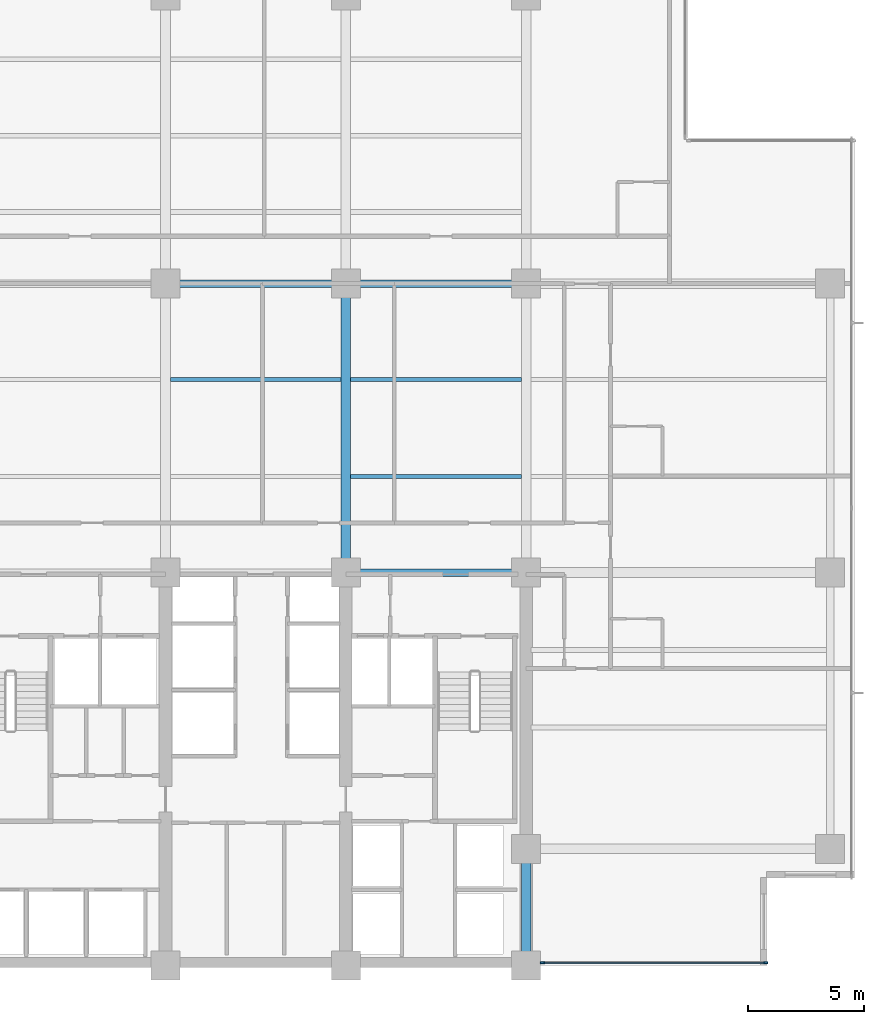
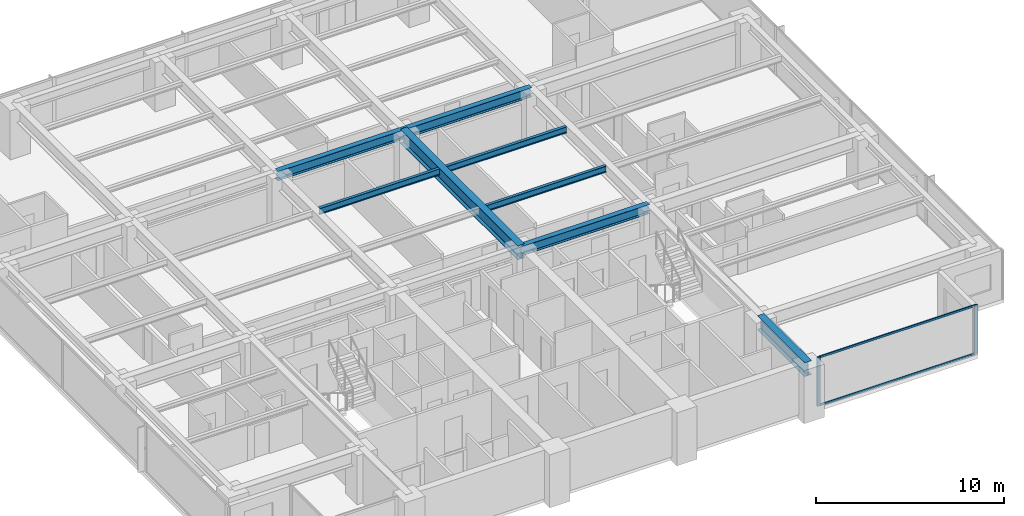
# One storey, part 3 of 16: 8 beams, 4 members, 1 element without a shape of its own.
"""IFC4 building model written with IfcOpenShell, lengths in metres."""

from ifc_helpers import new_model, si_unit, direction, frame, origin, origin_2d, place, context, subcontext, project, spatial, rectangle, i_section, extrude, material, layer, layer_set, material_profile, profile_set, type_object, element, aggregate, save


model = new_model("IFC4")

# Units and contexts
model_context = context("Model", 3, precision=1e-05, world=origin(), true_north=direction((0.0, 1.0)))
body_context = subcontext(model_context, "Body", "Model", "MODEL_VIEW")
ifc_project = project(units=[si_unit("LENGTHUNIT", "METRE"), si_unit("AREAUNIT", "SQUARE_METRE"), si_unit("VOLUMEUNIT", "CUBIC_METRE"), si_unit("PLANEANGLEUNIT", "RADIAN"), si_unit("MASSUNIT", "GRAM", prefix="KILO")], contexts=[model_context])

# Site, building, storey
site_placement = place(None, origin())
site = spatial("IfcSite", under=ifc_project, at=site_placement, CompositionType="ELEMENT")
building_placement = place(site_placement, origin())
building = spatial("IfcBuilding", under=site, at=building_placement, Name="Qalmaran Belvedere Hotel", CompositionType="ELEMENT")
storey_placement = place(building_placement, frame((0.0, 0.0, 126.699951171875)))
storey = spatial("IfcBuildingStorey", under=building, at=storey_placement, Name="L32", CompositionType="ELEMENT", Elevation=126.699951171875)

# Beams
ifc_material_1 = material(Name="Steel S355JR", Category="steel")
ifc_material_profile_1 = material_profile(ifc_material_1, i_section(OverallWidth=0.41796875, OverallDepth=0.912109375, WebThickness=0.019287109375, FlangeThickness=0.031982421875, FilletRadius=0.02392578125, at=origin_2d()), Name="W920X342")
ifc_profile_set_1 = profile_set([ifc_material_profile_1], Name="Steel S355JR")
beam_type_1 = type_object("IfcBeamType", Name="BM-PG2-W920X342", PredefinedType="USERDEFINED", material=ifc_profile_set_1)
beam_1_placement = place(storey_placement, frame((37.0, 20.5, 2.72412109375), z_axis=(0.0, 1.0, 0.0), x_axis=(-1.0, 0.0, 0.0)))
element("IfcBeam", 1, at=beam_1_placement, inside=storey, type_object=beam_type_1, Name="L32 Mid-Plate N-S Girder 18", ObjectType="GIRDER", PredefinedType="USERDEFINED", context=body_context, shape_type="SweptSolid", body=[
    extrude(i_section(OverallWidth=0.41796875, OverallDepth=0.912109375, WebThickness=0.019287109375, FlangeThickness=0.031982421875, FilletRadius=0.02392578125, at=origin_2d()), origin(), (0.0, 0.0, 1.0), 12.5),
])
beam_2_placement = place(storey_placement, frame((44.800048828125, 3.5, 2.72412109375), z_axis=(0.0, 1.0, 0.0), x_axis=(-1.0, 0.0, 0.0)))
element("IfcBeam", 2, at=beam_2_placement, inside=storey, type_object=beam_type_1, Name="L32 East Core Edge Girder A", ObjectType="GIRDER", PredefinedType="USERDEFINED", context=body_context, shape_type="SweptSolid", body=[
    extrude(i_section(OverallWidth=0.41796875, OverallDepth=0.912109375, WebThickness=0.019287109375, FlangeThickness=0.031982421875, FilletRadius=0.02392578125, at=origin_2d()), origin(), (0.0, 0.0, 1.0), 5.050048828125),
])
ifc_material_profile_2 = material_profile(ifc_material_1, i_section(OverallWidth=0.177978515625, OverallDepth=0.406982421875, WebThickness=0.0078125, FlangeThickness=0.0126953125, FilletRadius=0.014892578125, at=origin_2d()), Name="W410X60")
ifc_profile_set_2 = profile_set([ifc_material_profile_2], Name="Steel S355JR")
beam_type_2 = type_object("IfcBeamType", Name="BM-SB2-W410X60", PredefinedType="BEAM", material=ifc_profile_set_2)
for number, where, z_axis, x_axis, name in (
    (3, (37.20703125, 24.64990234375, 2.9765625), (1.0, 0.0, 0.0), (0.0, 1.0, 0.0), "L32 Secondary Floor Beam 031"),
    (4, (29.406982421875, 28.85009765625, 2.9765625), (1.0, 0.0, 0.0), (0.0, 1.0, 0.0), "L32 Secondary Floor Beam 035"),
    (5, (37.20703125, 28.85009765625, 2.9765625), (1.0, 0.0, 0.0), (0.0, 1.0, 0.0), "L32 Secondary Floor Beam 036"),
):
    element("IfcBeam", number, at=place(storey_placement, frame(where, z_axis=z_axis, x_axis=x_axis)), inside=storey, type_object=beam_type_2, Name=name, PredefinedType="BEAM", context=body_context, shape_type="SweptSolid", body=[
        extrude(i_section(OverallWidth=0.177978515625, OverallDepth=0.406982421875, WebThickness=0.0078125, FlangeThickness=0.0126953125, FilletRadius=0.014892578125, at=origin_2d()), origin(), (0.0, 0.0, 1.0), 7.385986328125),
    ])
ifc_material_profile_3 = material_profile(ifc_material_1, i_section(OverallWidth=0.323974609375, OverallDepth=0.611083984375, WebThickness=0.0126953125, FlangeThickness=0.01904296875, FilletRadius=0.02001953125, at=origin_2d()), Name="W610X155")
ifc_profile_set_3 = profile_set([ifc_material_profile_3], Name="Steel S355JR")
beam_type_3 = type_object("IfcBeamType", Name="BM-Z2-W610X155", PredefinedType="USERDEFINED", material=ifc_profile_set_3)
for number, where, z_axis, x_axis, name in (
    (6, (37.0, 20.5, 2.87451171875), (1.0, 0.0, 0.0), (0.0, 1.0, 0.0), "L32 Interior E-W Girder 10"),
    (7, (29.199951171875, 33.0, 2.87451171875), (1.0, 0.0, 0.0), (0.0, 1.0, 0.0), "L32 Interior E-W Girder 12"),
    (8, (37.0, 33.0, 2.87451171875), (1.0, 0.0, 0.0), (0.0, 1.0, 0.0), "L32 Interior E-W Girder 13"),
):
    element("IfcBeam", number, at=place(storey_placement, frame(where, z_axis=z_axis, x_axis=x_axis)), inside=storey, type_object=beam_type_3, Name=name, ObjectType="GIRDER", PredefinedType="USERDEFINED", context=body_context, shape_type="SweptSolid", body=[
        extrude(i_section(OverallWidth=0.323974609375, OverallDepth=0.611083984375, WebThickness=0.0126953125, FlangeThickness=0.01904296875, FilletRadius=0.02001953125, at=origin_2d()), origin(), (0.0, 0.0, 1.0), 7.800048828125),
    ])

# Curtain wall, members
ifc_material_2 = material(Name="Anodised Bronze Aluminium", Category="aluminium")
ifc_layer = layer(ifc_material_2, 0.199951171875, Name="Anodised Bronze Aluminium")
ifc_layer_set = layer_set([ifc_layer], Name="Anodised Bronze Aluminium")
curtain_wall_type = type_object("IfcCurtainWallType", Name="CW3-TOWER-LOWMID", PredefinedType="NOTDEFINED", material=ifc_layer_set)
curtain_wall_placement = place(storey_placement, origin())
curtain_wall = element("IfcCurtainWall", 9, at=curtain_wall_placement, inside=storey, type_object=curtain_wall_type, Name="L32 Curtain Wall CW3", PredefinedType="NOTDEFINED")
ifc_material_profile_4 = material_profile(ifc_material_2, rectangle(XDim=0.070068359375, YDim=0.18994140625, at=origin_2d()), Name="CWM70X190")
ifc_profile_set_4 = profile_set([ifc_material_profile_4], Name="Anodised Bronze Aluminium")
member_type_1 = type_object("IfcMemberType", Name="CWM-70X190", PredefinedType="MULLION", material=ifc_profile_set_4)
member_1_placement = place(storey_placement, frame((45.5, 3.6201171875, 0.0), z_axis=(0.0, 0.0, 1.0), x_axis=(0.0, 1.0, 0.0)))
member_1 = element("IfcMember", 10, at=member_1_placement, type_object=member_type_1, Name="CW3 mullion 1", PredefinedType="MULLION", context=body_context, shape_type="SweptSolid", body=[
    extrude(rectangle(XDim=0.070068359375, YDim=0.18994140625, at=origin_2d()), origin(), (0.0, 0.0, 1.0), 3.179931640625),
])
member_2_placement = place(storey_placement, frame((55.1650390625, 3.6201171875, 0.0), z_axis=(0.0, 0.0, 1.0), x_axis=(0.0, 1.0, 0.0)))
member_2 = element("IfcMember", 11, at=member_2_placement, type_object=member_type_1, Name="CW3 mullion 2", PredefinedType="MULLION", context=body_context, shape_type="SweptSolid", body=[
    extrude(rectangle(XDim=0.070068359375, YDim=0.18994140625, at=origin_2d()), origin(), (0.0, 0.0, 1.0), 3.179931640625),
])
ifc_material_profile_5 = material_profile(ifc_material_2, rectangle(XDim=0.06494140625, YDim=0.1298828125, at=origin_2d()), Name="CWT65X130")
ifc_profile_set_5 = profile_set([ifc_material_profile_5], Name="Anodised Bronze Aluminium")
member_type_2 = type_object("IfcMemberType", Name="CWT-65X130", PredefinedType="USERDEFINED", material=ifc_profile_set_5)
member_3_placement = place(storey_placement, frame((45.534912109375, 3.6201171875, 0.032470703125), z_axis=(1.0, 0.0, 0.0), x_axis=(0.0, 1.0, 0.0)))
member_3 = element("IfcMember", 12, at=member_3_placement, type_object=member_type_2, Name="CW3 transom 1.1", ObjectType="TRANSOM", PredefinedType="USERDEFINED", context=body_context, shape_type="SweptSolid", body=[
    extrude(rectangle(XDim=0.06494140625, YDim=0.1298828125, at=origin_2d()), origin(), (0.0, 0.0, 1.0), 9.594970703125),
])
member_4_placement = place(storey_placement, frame((45.534912109375, 3.6201171875, 3.1474609375), z_axis=(1.0, 0.0, 0.0), x_axis=(0.0, 1.0, 0.0)))
member_4 = element("IfcMember", 13, at=member_4_placement, type_object=member_type_2, Name="CW3 transom 1.2", ObjectType="TRANSOM", PredefinedType="USERDEFINED", context=body_context, shape_type="SweptSolid", body=[
    extrude(rectangle(XDim=0.06494140625, YDim=0.1298828125, at=origin_2d()), origin(), (0.0, 0.0, 1.0), 9.594970703125),
])
aggregate(curtain_wall, [member_1, member_2, member_3, member_4])

save(model, "model.ifc")
